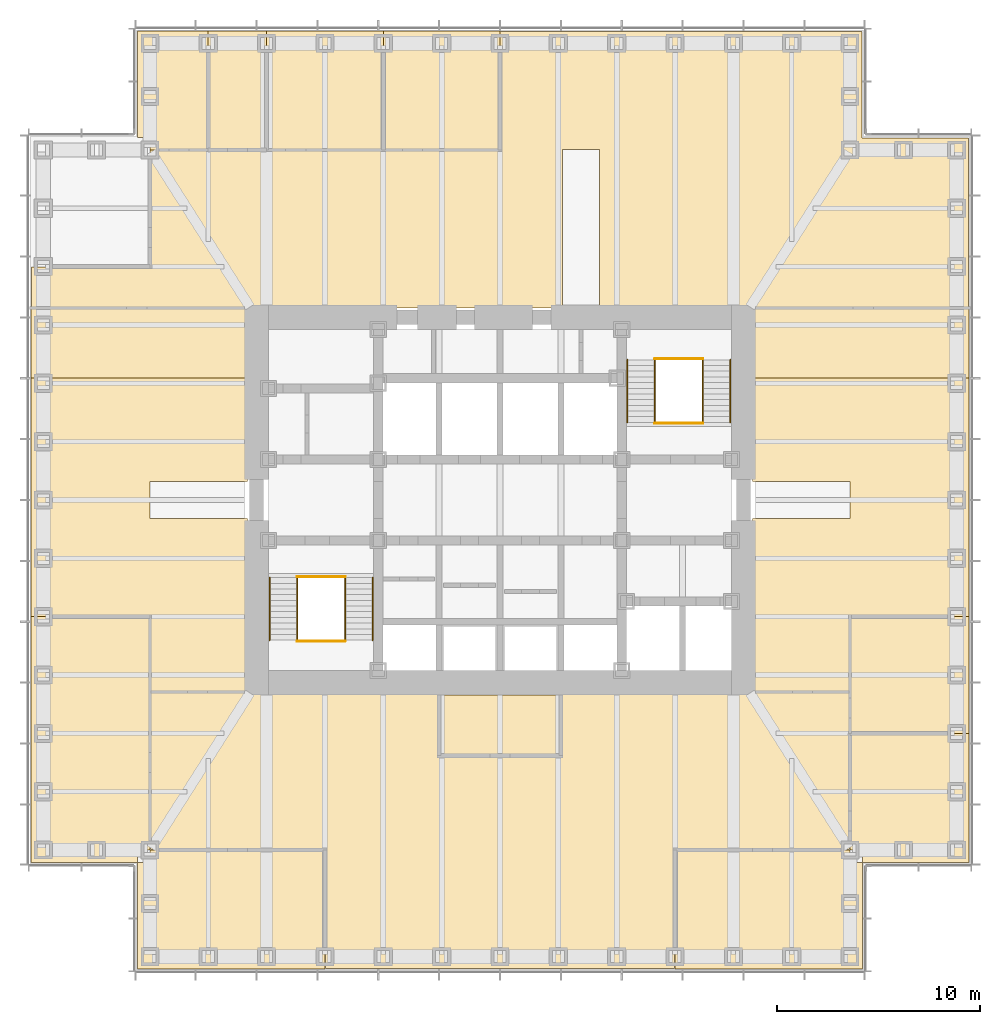
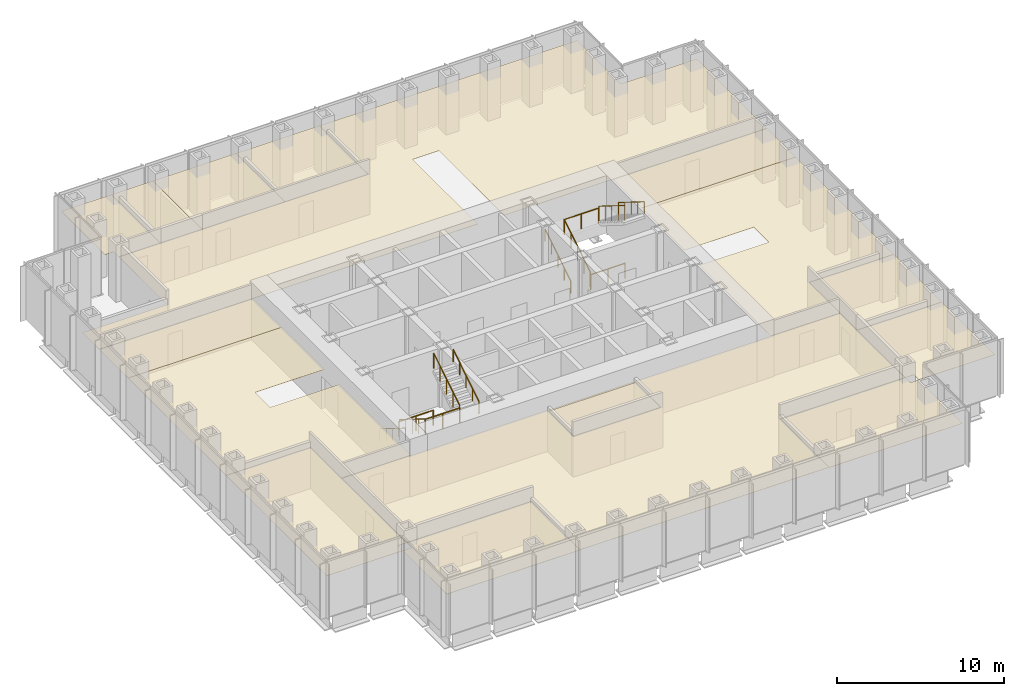
# One storey, part 16 of 16: 16 coverings, 12 railings.
"""IFC4 building model written with IfcOpenShell, lengths in metres."""

from ifc_helpers import new_model, si_unit, direction, frame, origin, origin_2d, place, context, subcontext, project, spatial, polyline, circle, outline, extrude, material, layer, layer_set, type_object, element, save


model = new_model("IFC4")

# Units and contexts
model_context = context("Model", 3, precision=1e-05, world=origin(), true_north=direction((0.0, 1.0)))
body_context = subcontext(model_context, "Body", "Model", "MODEL_VIEW")
ifc_project = project(units=[si_unit("LENGTHUNIT", "METRE"), si_unit("AREAUNIT", "SQUARE_METRE"), si_unit("VOLUMEUNIT", "CUBIC_METRE"), si_unit("PLANEANGLEUNIT", "RADIAN"), si_unit("MASSUNIT", "GRAM", prefix="KILO")], contexts=[model_context])

# Site, building, storey
site_placement = place(None, origin())
site = spatial("IfcSite", under=ifc_project, at=site_placement, CompositionType="ELEMENT")
building_placement = place(site_placement, origin())
building = spatial("IfcBuilding", under=site, at=building_placement, Name="Daluyong Arena Tower", CompositionType="ELEMENT")
storey_placement = place(building_placement, frame((0.0, 0.0, 133.300048828125)))
storey = spatial("IfcBuildingStorey", under=building, at=storey_placement, Name="L29", CompositionType="ELEMENT", Elevation=133.300048828125)

# Coverings
ifc_material_1 = material(Name="Mineral fibre ceiling tile", Category="gypsum board")
ifc_layer = layer(ifc_material_1, 0.02001953125)
ifc_layer_set = layer_set([ifc_layer], Name="Mineral fibre ceiling tile")
covering_type = type_object("IfcCoveringType", Name="Office ceiling", PredefinedType="CEILING", material=ifc_layer_set)
covering_1_placement = place(storey_placement, frame((0.0, 0.0, 2.89990234375)))
element("IfcCovering", 1, at=covering_1_placement, inside=storey, type_object=covering_type, Name="ceiling L29-01", PredefinedType="CEILING", context=body_context, shape_type="SweptSolid", body=[
    extrude(outline(polyline([(38.14990234375, 62.14990234375), (38.14990234375, 56.89990234375), (47.375, 56.89990234375), (47.375, 62.75), (38.75, 62.75), (38.75, 62.14990234375), (38.14990234375, 62.14990234375)])), origin(), (0.0, 0.0, 1.0), 0.02001953125),
])
covering_2_placement = place(storey_placement, frame((0.0, 0.0, 2.89990234375)))
element("IfcCovering", 2, at=covering_2_placement, inside=storey, type_object=covering_type, Name="ceiling L29-02", PredefinedType="CEILING", context=body_context, shape_type="SweptSolid", body=[
    extrude(outline(polyline([(73.85009765625, 56.89990234375), (73.85009765625, 62.14990234375), (73.25, 62.14990234375), (73.25, 62.75), (64.625, 62.75), (64.625, 56.89990234375), (73.85009765625, 56.89990234375)])), origin(), (0.0, 0.0, 1.0), 0.02001953125),
])
covering_3_placement = place(storey_placement, frame((0.0, 0.0, 2.89990234375)))
element("IfcCovering", 3, at=covering_3_placement, inside=storey, type_object=covering_type, Name="ceiling L29-03", PredefinedType="CEILING", context=body_context, shape_type="SweptSolid", body=[
    extrude(outline(polyline([(73.85009765625, 62.14990234375), (79.10009765625, 62.14990234375), (79.10009765625, 68.5), (73.25, 68.5), (73.25, 62.75), (73.85009765625, 62.75), (73.85009765625, 62.14990234375)])), origin(), (0.0, 0.0, 1.0), 0.02001953125),
])
covering_4_placement = place(storey_placement, frame((0.0, 0.0, 2.89990234375)))
element("IfcCovering", 4, at=covering_4_placement, inside=storey, type_object=covering_type, Name="ceiling L29-04", PredefinedType="CEILING", context=body_context, shape_type="SweptSolid", body=[
    extrude(outline(polyline([(73.25, 68.5), (79.10009765625, 68.5), (79.10009765625, 74.25), (73.25, 74.25), (73.25, 68.5)])), origin(), (0.0, 0.0, 1.0), 0.02001953125),
])
covering_5_placement = place(storey_placement, frame((0.0, 0.0, 2.89990234375)))
element("IfcCovering", 5, at=covering_5_placement, inside=storey, type_object=covering_type, Name="ceiling L29-05", PredefinedType="CEILING", context=body_context, shape_type="SweptSolid", body=[
    extrude(outline(polyline([(41.625, 97.25), (41.625, 103.10009765625), (38.14990234375, 103.10009765625), (38.14990234375, 97.85009765625), (38.75, 97.85009765625), (38.75, 97.25), (41.625, 97.25)])), origin(), (0.0, 0.0, 1.0), 0.02001953125),
])
covering_6_placement = place(storey_placement, frame((0.0, 0.0, 2.89990234375)))
element("IfcCovering", 6, at=covering_6_placement, inside=storey, type_object=covering_type, Name="ceiling L29-06", PredefinedType="CEILING", context=body_context, shape_type="SweptSolid", body=[
    extrude(outline(polyline([(44.5, 97.25), (44.5, 103.10009765625), (41.625, 103.10009765625), (41.625, 97.25), (44.5, 97.25)])), origin(), (0.0, 0.0, 1.0), 0.02001953125),
])
covering_7_placement = place(storey_placement, frame((0.0, 0.0, 2.89990234375)))
element("IfcCovering", 7, at=covering_7_placement, inside=storey, type_object=covering_type, Name="ceiling L29-07", PredefinedType="CEILING", context=body_context, shape_type="SweptSolid", body=[
    extrude(outline(polyline([(50.25, 97.25), (50.25, 103.10009765625), (44.5, 103.10009765625), (44.5, 97.25), (50.25, 97.25)])), origin(), (0.0, 0.0, 1.0), 0.02001953125),
])
covering_8_placement = place(storey_placement, frame((0.0, 0.0, 2.89990234375)))
element("IfcCovering", 8, at=covering_8_placement, inside=storey, type_object=covering_type, Name="ceiling L29-08", PredefinedType="CEILING", context=body_context, shape_type="SweptSolid", body=[
    extrude(outline(polyline([(56.0, 97.25), (56.0, 103.10009765625), (50.25, 103.10009765625), (50.25, 97.25), (56.0, 97.25)])), origin(), (0.0, 0.0, 1.0), 0.02001953125),
])
covering_9_placement = place(storey_placement, frame((0.0, 0.0, 2.89990234375)))
element("IfcCovering", 9, at=covering_9_placement, inside=storey, type_object=covering_type, Name="ceiling L29-09", PredefinedType="CEILING", context=body_context, shape_type="SweptSolid", body=[
    extrude(outline(polyline([(32.89990234375, 62.14990234375), (38.14990234375, 62.14990234375), (38.14990234375, 62.75), (38.75, 62.75), (38.75, 74.25), (32.89990234375, 74.25), (32.89990234375, 62.14990234375)])), origin(), (0.0, 0.0, 1.0), 0.02001953125),
])
covering_10_placement = place(storey_placement, frame((0.0, 0.0, 2.89990234375)))
element("IfcCovering", 10, at=covering_10_placement, inside=storey, type_object=covering_type, Name="ceiling L29-11", PredefinedType="CEILING", context=body_context, shape_type="SweptSolid", body=[
    extrude(outline(polyline([(53.0, 67.39990234375), (59.0, 67.39990234375), (59.0, 70.39990234375), (53.0, 70.39990234375), (53.0, 67.39990234375)])), origin(), (0.0, 0.0, 1.0), 0.02001953125),
])
covering_11_placement = place(storey_placement, frame((0.0, 0.0, 2.89990234375)))
element("IfcCovering", 11, at=covering_11_placement, inside=storey, type_object=covering_type, Name="ceiling L29-15", PredefinedType="CEILING", context=body_context, shape_type="SweptSolid", body=[
    extrude(outline(polyline([(73.22998046875, 70.530029296875), (38.77001953125, 70.530029296875), (38.77001953125, 62.77001953125), (47.39501953125, 62.77001953125), (47.39501953125, 56.919921875), (64.60498046875, 56.919921875), (64.60498046875, 62.77001953125), (73.22998046875, 62.77001953125), (73.22998046875, 70.530029296875)]), holes=[polyline([(59.02001953125, 67.3798828125), (52.97998046875, 67.3798828125), (52.97998046875, 70.419921875), (59.02001953125, 70.419921875), (59.02001953125, 67.3798828125)])]), origin(), (0.0, 0.0, 1.0), 0.02001953125),
])
covering_12_placement = place(storey_placement, frame((0.0, 0.0, 2.89990234375)))
element("IfcCovering", 12, at=covering_12_placement, inside=storey, type_object=covering_type, Name="ceiling L29-16", PredefinedType="CEILING", context=body_context, shape_type="SweptSolid", body=[
    extrude(outline(polyline([(38.760009765625, 97.239990234375), (38.760009765625, 91.489990234375), (32.909912109375, 91.489990234375), (32.909912109375, 89.4599609375), (59.090087890625, 89.4599609375), (59.090087890625, 97.260009765625), (60.909912109375, 97.260009765625), (60.909912109375, 89.4599609375), (79.090087890625, 89.4599609375), (79.090087890625, 97.840087890625), (73.840087890625, 97.840087890625), (73.840087890625, 103.090087890625), (56.010009765625, 103.090087890625), (56.010009765625, 97.239990234375), (38.760009765625, 97.239990234375)])), origin(), (0.0, 0.0, 1.0), 0.02001953125),
])
covering_13_placement = place(storey_placement, frame((0.0, 0.0, 2.89990234375)))
element("IfcCovering", 13, at=covering_13_placement, inside=storey, type_object=covering_type, Name="ceiling L29-17", PredefinedType="CEILING", context=body_context, shape_type="SweptSolid", body=[
    extrude(outline(polyline([(38.75, 74.25), (38.75, 70.550048828125), (43.550048828125, 70.550048828125), (43.550048828125, 79.10009765625), (38.75, 79.10009765625), (38.75, 80.89990234375), (43.550048828125, 80.89990234375), (43.550048828125, 86.0), (32.89990234375, 86.0), (32.89990234375, 74.25), (38.75, 74.25)])), origin(), (0.0, 0.0, 1.0), 0.02001953125),
])
covering_14_placement = place(storey_placement, frame((0.0, 0.0, 2.89990234375)))
element("IfcCovering", 14, at=covering_14_placement, inside=storey, type_object=covering_type, Name="ceiling L29-18", PredefinedType="CEILING", context=body_context, shape_type="SweptSolid", body=[
    extrude(outline(polyline([(32.89990234375, 89.449951171875), (32.89990234375, 86.0), (43.550048828125, 86.0), (43.550048828125, 89.449951171875), (32.89990234375, 89.449951171875)])), origin(), (0.0, 0.0, 1.0), 0.02001953125),
])
covering_15_placement = place(storey_placement, frame((0.0, 0.0, 2.89990234375)))
element("IfcCovering", 15, at=covering_15_placement, inside=storey, type_object=covering_type, Name="ceiling L29-19", PredefinedType="CEILING", context=body_context, shape_type="SweptSolid", body=[
    extrude(outline(polyline([(79.10009765625, 74.25), (79.10009765625, 86.0), (68.449951171875, 86.0), (68.449951171875, 80.89990234375), (73.25, 80.89990234375), (73.25, 79.10009765625), (68.449951171875, 79.10009765625), (68.449951171875, 70.550048828125), (73.25, 70.550048828125), (73.25, 74.25), (79.10009765625, 74.25)])), origin(), (0.0, 0.0, 1.0), 0.02001953125),
])
covering_16_placement = place(storey_placement, frame((0.0, 0.0, 2.89990234375)))
element("IfcCovering", 16, at=covering_16_placement, inside=storey, type_object=covering_type, Name="ceiling L29-20", PredefinedType="CEILING", context=body_context, shape_type="SweptSolid", body=[
    extrude(outline(polyline([(79.10009765625, 86.0), (79.10009765625, 89.449951171875), (68.449951171875, 89.449951171875), (68.449951171875, 86.0), (79.10009765625, 86.0)])), origin(), (0.0, 0.0, 1.0), 0.02001953125),
])

# Railings
ifc_material_2 = material(Name="Stainless steel handrail", Category="steel")
railing_type_1 = type_object("IfcRailingType", Name="Stair handrail", PredefinedType="HANDRAIL", material=ifc_material_2)
railing_1_placement = place(storey_placement, frame((44.64990234375, 76.175048828125, 0.175048828125)))
element("IfcRailing", 17, at=railing_1_placement, inside=storey, type_object=railing_type_1, Name="exit stair A handrail L29", PredefinedType="HANDRAIL", context=body_context, shape_type="SweptSolid", body=[
    extrude(circle(Radius=0.02392578125, at=origin_2d()), frame((0.0, 0.0, 0.8759765625), z_axis=(0.0, -0.848028513186, 0.529950602248), x_axis=(1.0, 0.0, 0.0)), (0.0, 0.0, 1.0), 3.632080078125),
    extrude(circle(Radius=0.02099609375, at=origin_2d()), origin(), (0.0, 0.0, 1.0), 0.851806640625),
    extrude(circle(Radius=0.02099609375, at=origin_2d()), frame((0.0, -0.77001953125, 0.481201171875)), (0.0, 0.0, 1.0), 0.851806640625),
    extrude(circle(Radius=0.02099609375, at=origin_2d()), frame((0.0, -1.5400390625, 0.96240234375)), (0.0, 0.0, 1.0), 0.851806640625),
    extrude(circle(Radius=0.02099609375, at=origin_2d()), frame((0.0, -2.31005859375, 1.443603515625)), (0.0, 0.0, 1.0), 0.851806640625),
    extrude(circle(Radius=0.02099609375, at=origin_2d()), frame((0.0, -3.080078125, 1.9248046875)), (0.0, 0.0, 1.0), 0.851806640625),
])
railing_2_placement = place(storey_placement, frame((49.72509765625, 73.094970703125, 2.27490234375)))
element("IfcRailing", 18, at=railing_2_placement, inside=storey, type_object=railing_type_1, Name="exit stair A handrail L29", PredefinedType="HANDRAIL", context=body_context, shape_type="SweptSolid", body=[
    extrude(circle(Radius=0.02392578125, at=origin_2d()), frame((0.0, 0.0, 0.8759765625), z_axis=(0.0, 0.847998304005, 0.529998940003), x_axis=(-1.0, 0.0, 0.0)), (0.0, 0.0, 1.0), 3.632080078125),
    extrude(circle(Radius=0.02099609375, at=origin_2d()), origin(), (0.0, 0.0, 1.0), 0.851806640625),
    extrude(circle(Radius=0.02099609375, at=origin_2d()), frame((0.0, 0.77001953125, 0.481201171875)), (0.0, 0.0, 1.0), 0.851806640625),
    extrude(circle(Radius=0.02099609375, at=origin_2d()), frame((0.0, 1.5400390625, 0.96240234375)), (0.0, 0.0, 1.0), 0.851806640625),
    extrude(circle(Radius=0.02099609375, at=origin_2d()), frame((0.0, 2.31005859375, 1.44384765625)), (0.0, 0.0, 1.0), 0.851806640625),
    extrude(circle(Radius=0.02099609375, at=origin_2d()), frame((0.0, 3.080078125, 1.925048828125)), (0.0, 0.0, 1.0), 0.851806640625),
])
railing_3_placement = place(storey_placement, frame((62.27490234375, 83.824951171875, 0.175048828125)))
element("IfcRailing", 19, at=railing_3_placement, inside=storey, type_object=railing_type_1, Name="exit stair B handrail L29", PredefinedType="HANDRAIL", context=body_context, shape_type="SweptSolid", body=[
    extrude(circle(Radius=0.02392578125, at=origin_2d()), frame((0.0, 0.0, 0.8759765625), z_axis=(0.0, 0.848028513186, 0.529950602248), x_axis=(-1.0, 0.0, 0.0)), (0.0, 0.0, 1.0), 3.632080078125),
    extrude(circle(Radius=0.02099609375, at=origin_2d()), origin(), (0.0, 0.0, 1.0), 0.851806640625),
    extrude(circle(Radius=0.02099609375, at=origin_2d()), frame((0.0, 0.77001953125, 0.481201171875)), (0.0, 0.0, 1.0), 0.851806640625),
    extrude(circle(Radius=0.02099609375, at=origin_2d()), frame((0.0, 1.5400390625, 0.96240234375)), (0.0, 0.0, 1.0), 0.851806640625),
    extrude(circle(Radius=0.02099609375, at=origin_2d()), frame((0.0, 2.31005859375, 1.443603515625)), (0.0, 0.0, 1.0), 0.851806640625),
    extrude(circle(Radius=0.02099609375, at=origin_2d()), frame((0.0, 3.080078125, 1.9248046875)), (0.0, 0.0, 1.0), 0.851806640625),
])
railing_4_placement = place(storey_placement, frame((67.35009765625, 86.905029296875, 2.27490234375)))
element("IfcRailing", 20, at=railing_4_placement, inside=storey, type_object=railing_type_1, Name="exit stair B handrail L29", PredefinedType="HANDRAIL", context=body_context, shape_type="SweptSolid", body=[
    extrude(circle(Radius=0.02392578125, at=origin_2d()), frame((0.0, 0.0, 0.8759765625), z_axis=(0.0, -0.847998304005, 0.529998940003), x_axis=(1.0, 0.0, 0.0)), (0.0, 0.0, 1.0), 3.632080078125),
    extrude(circle(Radius=0.02099609375, at=origin_2d()), origin(), (0.0, 0.0, 1.0), 0.851806640625),
    extrude(circle(Radius=0.02099609375, at=origin_2d()), frame((0.0, -0.77001953125, 0.481201171875)), (0.0, 0.0, 1.0), 0.851806640625),
    extrude(circle(Radius=0.02099609375, at=origin_2d()), frame((0.0, -1.5400390625, 0.96240234375)), (0.0, 0.0, 1.0), 0.851806640625),
    extrude(circle(Radius=0.02099609375, at=origin_2d()), frame((0.0, -2.31005859375, 1.44384765625)), (0.0, 0.0, 1.0), 0.851806640625),
    extrude(circle(Radius=0.02099609375, at=origin_2d()), frame((0.0, -3.080078125, 1.925048828125)), (0.0, 0.0, 1.0), 0.851806640625),
])
ifc_material_3 = material(Name="Steel balustrade", Category="steel")
railing_type_2 = type_object("IfcRailingType", Name="Stair well guard 1100", PredefinedType="GUARDRAIL", material=ifc_material_3)
railing_5_placement = place(storey_placement, frame((46.0, 76.175048828125, 0.175048828125)))
element("IfcRailing", 21, at=railing_5_placement, inside=storey, type_object=railing_type_2, Name="exit stair A well guard L29", PredefinedType="GUARDRAIL", context=body_context, shape_type="SweptSolid", body=[
    extrude(circle(Radius=0.02392578125, at=origin_2d()), frame((0.0, 0.0, 1.076171875), z_axis=(0.0, -0.848028513186, 0.529950602248), x_axis=(1.0, 0.0, 0.0)), (0.0, 0.0, 1.0), 3.632080078125),
    extrude(circle(Radius=0.02099609375, at=origin_2d()), origin(), (0.0, 0.0, 1.0), 1.052001953125),
    extrude(circle(Radius=0.02099609375, at=origin_2d()), frame((0.0, -0.77001953125, 0.481201171875)), (0.0, 0.0, 1.0), 1.052001953125),
    extrude(circle(Radius=0.02099609375, at=origin_2d()), frame((0.0, -1.5400390625, 0.96240234375)), (0.0, 0.0, 1.0), 1.052001953125),
    extrude(circle(Radius=0.02099609375, at=origin_2d()), frame((0.0, -2.31005859375, 1.443603515625)), (0.0, 0.0, 1.0), 1.052001953125),
    extrude(circle(Radius=0.02099609375, at=origin_2d()), frame((0.0, -3.080078125, 1.9248046875)), (0.0, 0.0, 1.0), 1.052001953125),
])
railing_6_placement = place(storey_placement, frame((48.375, 73.094970703125, 2.27490234375)))
element("IfcRailing", 22, at=railing_6_placement, inside=storey, type_object=railing_type_2, Name="exit stair A well guard L29", PredefinedType="GUARDRAIL", context=body_context, shape_type="SweptSolid", body=[
    extrude(circle(Radius=0.02392578125, at=origin_2d()), frame((0.0, 0.0, 1.076171875), z_axis=(0.0, 0.847998304005, 0.529998940003), x_axis=(-1.0, 0.0, 0.0)), (0.0, 0.0, 1.0), 3.632080078125),
    extrude(circle(Radius=0.02099609375, at=origin_2d()), origin(), (0.0, 0.0, 1.0), 1.052001953125),
    extrude(circle(Radius=0.02099609375, at=origin_2d()), frame((0.0, 0.77001953125, 0.481201171875)), (0.0, 0.0, 1.0), 1.052001953125),
    extrude(circle(Radius=0.02099609375, at=origin_2d()), frame((0.0, 1.5400390625, 0.96240234375)), (0.0, 0.0, 1.0), 1.052001953125),
    extrude(circle(Radius=0.02099609375, at=origin_2d()), frame((0.0, 2.31005859375, 1.44384765625)), (0.0, 0.0, 1.0), 1.052001953125),
    extrude(circle(Radius=0.02099609375, at=origin_2d()), frame((0.0, 3.080078125, 1.925048828125)), (0.0, 0.0, 1.0), 1.052001953125),
])
for number, where, name in (
    (23, (46.0, 73.044921875, 2.099853515625), "exit stair A landing guard L29"),
    (24, (46.0, 76.22509765625, 0.0), "exit stair A floor landing guard L29"),
):
    element("IfcRailing", number, at=place(storey_placement, frame(where)), inside=storey, type_object=railing_type_2, Name=name, PredefinedType="GUARDRAIL", context=body_context, shape_type="SweptSolid", body=[
        extrude(circle(Radius=0.02392578125, at=origin_2d()), frame((0.0, 0.0, 1.076171875), z_axis=(1.0, 0.0, 0.0), x_axis=(0.0, 1.0, 0.0)), (0.0, 0.0, 1.0), 2.375),
        extrude(circle(Radius=0.02099609375, at=origin_2d()), origin(), (0.0, 0.0, 1.0), 1.052001953125),
        extrude(circle(Radius=0.02099609375, at=origin_2d()), frame((1.1875, 0.0, 0.0)), (0.0, 0.0, 1.0), 1.052001953125),
        extrude(circle(Radius=0.02099609375, at=origin_2d()), frame((2.375, 0.0, 0.0)), (0.0, 0.0, 1.0), 1.052001953125),
    ])
railing_7_placement = place(storey_placement, frame((63.625, 83.824951171875, 0.175048828125)))
element("IfcRailing", 25, at=railing_7_placement, inside=storey, type_object=railing_type_2, Name="exit stair B well guard L29", PredefinedType="GUARDRAIL", context=body_context, shape_type="SweptSolid", body=[
    extrude(circle(Radius=0.02392578125, at=origin_2d()), frame((0.0, 0.0, 1.076171875), z_axis=(0.0, 0.848028513186, 0.529950602248), x_axis=(-1.0, 0.0, 0.0)), (0.0, 0.0, 1.0), 3.632080078125),
    extrude(circle(Radius=0.02099609375, at=origin_2d()), origin(), (0.0, 0.0, 1.0), 1.052001953125),
    extrude(circle(Radius=0.02099609375, at=origin_2d()), frame((0.0, 0.77001953125, 0.481201171875)), (0.0, 0.0, 1.0), 1.052001953125),
    extrude(circle(Radius=0.02099609375, at=origin_2d()), frame((0.0, 1.5400390625, 0.96240234375)), (0.0, 0.0, 1.0), 1.052001953125),
    extrude(circle(Radius=0.02099609375, at=origin_2d()), frame((0.0, 2.31005859375, 1.443603515625)), (0.0, 0.0, 1.0), 1.052001953125),
    extrude(circle(Radius=0.02099609375, at=origin_2d()), frame((0.0, 3.080078125, 1.9248046875)), (0.0, 0.0, 1.0), 1.052001953125),
])
railing_8_placement = place(storey_placement, frame((66.0, 86.905029296875, 2.27490234375)))
element("IfcRailing", 26, at=railing_8_placement, inside=storey, type_object=railing_type_2, Name="exit stair B well guard L29", PredefinedType="GUARDRAIL", context=body_context, shape_type="SweptSolid", body=[
    extrude(circle(Radius=0.02392578125, at=origin_2d()), frame((0.0, 0.0, 1.076171875), z_axis=(0.0, -0.847998304005, 0.529998940003), x_axis=(1.0, 0.0, 0.0)), (0.0, 0.0, 1.0), 3.632080078125),
    extrude(circle(Radius=0.02099609375, at=origin_2d()), origin(), (0.0, 0.0, 1.0), 1.052001953125),
    extrude(circle(Radius=0.02099609375, at=origin_2d()), frame((0.0, -0.77001953125, 0.481201171875)), (0.0, 0.0, 1.0), 1.052001953125),
    extrude(circle(Radius=0.02099609375, at=origin_2d()), frame((0.0, -1.5400390625, 0.96240234375)), (0.0, 0.0, 1.0), 1.052001953125),
    extrude(circle(Radius=0.02099609375, at=origin_2d()), frame((0.0, -2.31005859375, 1.44384765625)), (0.0, 0.0, 1.0), 1.052001953125),
    extrude(circle(Radius=0.02099609375, at=origin_2d()), frame((0.0, -3.080078125, 1.925048828125)), (0.0, 0.0, 1.0), 1.052001953125),
])
for number, where, name in (
    (27, (63.625, 86.955078125, 2.099853515625), "exit stair B landing guard L29"),
    (28, (63.625, 83.77490234375, 0.0), "exit stair B floor landing guard L29"),
):
    element("IfcRailing", number, at=place(storey_placement, frame(where)), inside=storey, type_object=railing_type_2, Name=name, PredefinedType="GUARDRAIL", context=body_context, shape_type="SweptSolid", body=[
        extrude(circle(Radius=0.02392578125, at=origin_2d()), frame((0.0, 0.0, 1.076171875), z_axis=(1.0, 0.0, 0.0), x_axis=(0.0, 1.0, 0.0)), (0.0, 0.0, 1.0), 2.375),
        extrude(circle(Radius=0.02099609375, at=origin_2d()), origin(), (0.0, 0.0, 1.0), 1.052001953125),
        extrude(circle(Radius=0.02099609375, at=origin_2d()), frame((1.1875, 0.0, 0.0)), (0.0, 0.0, 1.0), 1.052001953125),
        extrude(circle(Radius=0.02099609375, at=origin_2d()), frame((2.375, 0.0, 0.0)), (0.0, 0.0, 1.0), 1.052001953125),
    ])

save(model, "model.ifc")
